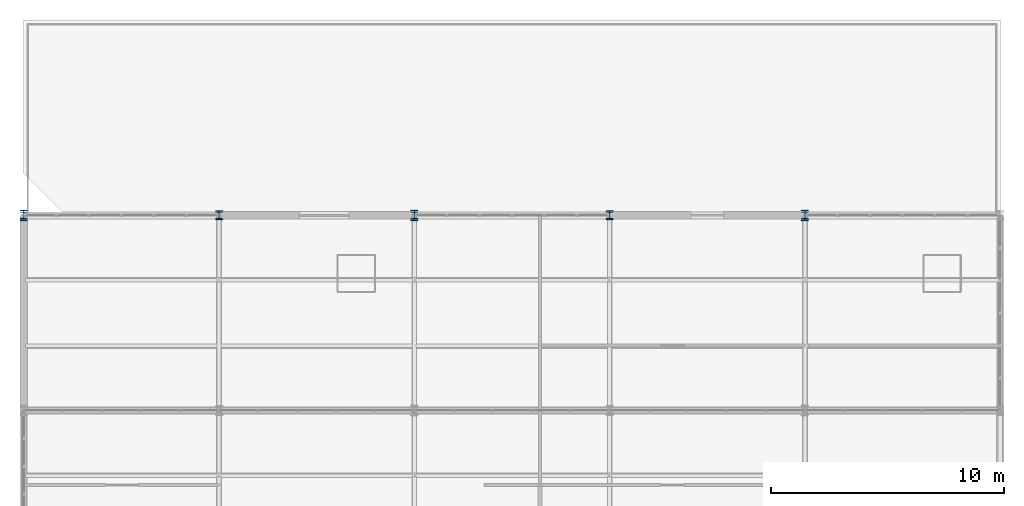
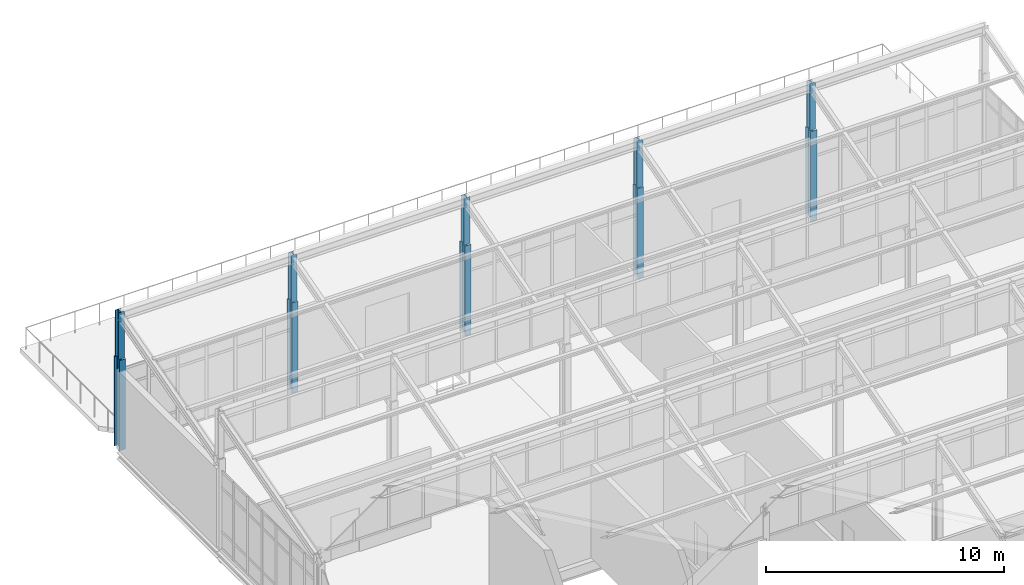
# One storey, part 3 of 53: 10 columns.
"""IFC4 building model written with IfcOpenShell, lengths in metres."""

from ifc_helpers import new_model, si_unit, direction, frame, origin, origin_2d, place, context, subcontext, project, spatial, i_section, extrude, material, material_profile, profile_set, type_object, element, save


model = new_model("IFC4")

# Units and contexts
model_context = context("Model", 3, precision=1e-05, world=origin(), true_north=direction((0.0, 1.0)))
body_context = subcontext(model_context, "Body", "Model", "MODEL_VIEW")
ifc_project = project(units=[si_unit("LENGTHUNIT", "METRE"), si_unit("AREAUNIT", "SQUARE_METRE"), si_unit("VOLUMEUNIT", "CUBIC_METRE"), si_unit("PLANEANGLEUNIT", "RADIAN"), si_unit("MASSUNIT", "GRAM", prefix="KILO")], contexts=[model_context])

# Site, building, storey
site_placement = place(None, origin())
site = spatial("IfcSite", under=ifc_project, at=site_placement, CompositionType="ELEMENT")
building_placement = place(site_placement, origin())
building = spatial("IfcBuilding", under=site, at=building_placement, Name="Qalvenar Corner Mobility Hub", CompositionType="ELEMENT")
storey_placement = place(building_placement, frame((0.0, 0.0, 26.39990234375)))
storey = spatial("IfcBuildingStorey", under=building, at=storey_placement, Name="L06", CompositionType="ELEMENT", Elevation=26.39990234375)

# Columns
ifc_material = material(Name="Steel S355", Category="steel")
ifc_material_profile_1 = material_profile(ifc_material, i_section(OverallWidth=0.280029296875, OverallDepth=0.280029296875, WebThickness=0.010498046875, FlangeThickness=0.01806640625, FilletRadius=0.02392578125, at=origin_2d()), Name="HEB280")
ifc_profile_set_1 = profile_set([ifc_material_profile_1], Name="Steel S355")
column_type_1 = type_object("IfcColumnType", Name="COL-HEB280", PredefinedType="COLUMN", material=ifc_profile_set_1)
for number, where, z_axis, x_axis, name in (
    (1, (0.0, 33.60009765625, 4.630126953125), (0.0, 0.0, 1.0), (1.0, 0.0, 0.0), "Sawtooth Roof Post V3R-4-1"),
    (2, (8.39990234375, 33.60009765625, 4.630126953125), (0.0, 0.0, 1.0), (1.0, 0.0, 0.0), "Sawtooth Roof Post V3R-4-2"),
    (3, (16.800048828125, 33.60009765625, 4.630126953125), (0.0, 0.0, 1.0), (1.0, 0.0, 0.0), "Sawtooth Roof Post V3R-4-3"),
    (4, (25.199951171875, 33.60009765625, 4.630126953125), (0.0, 0.0, 1.0), (1.0, 0.0, 0.0), "Sawtooth Roof Post V3R-4-4"),
    (5, (33.60009765625, 33.60009765625, 4.630126953125), (0.0, 0.0, 1.0), (1.0, 0.0, 0.0), "Sawtooth Roof Post V3R-4-5"),
):
    element("IfcColumn", number, at=place(storey_placement, frame(where, z_axis=z_axis, x_axis=x_axis)), inside=storey, type_object=column_type_1, Name=name, PredefinedType="COLUMN", context=body_context, shape_type="SweptSolid", body=[
        extrude(i_section(OverallWidth=0.280029296875, OverallDepth=0.280029296875, WebThickness=0.010498046875, FlangeThickness=0.01806640625, FilletRadius=0.02392578125, at=origin_2d()), origin(), (0.0, 0.0, 1.0), 2.39990234375),
    ])
ifc_material_profile_2 = material_profile(ifc_material, i_section(OverallWidth=0.300048828125, OverallDepth=0.39990234375, WebThickness=0.013427734375, FlangeThickness=0.02392578125, FilletRadius=0.027099609375, at=origin_2d()), Name="HEB400")
ifc_profile_set_2 = profile_set([ifc_material_profile_2], Name="Steel S355")
column_type_2 = type_object("IfcColumnType", Name="COL-HEB400", PredefinedType="COLUMN", material=ifc_profile_set_2)
for number, where, z_axis, x_axis, name in (
    (6, (8.39990234375, 33.60009765625, 0.0), (0.0, 0.0, 1.0), (1.0, 0.0, 0.0), "Steel Column L06-G2-4"),
    (7, (25.199951171875, 33.60009765625, 0.0), (0.0, 0.0, 1.0), (1.0, 0.0, 0.0), "Steel Column L06-G4-4"),
):
    element("IfcColumn", number, at=place(storey_placement, frame(where, z_axis=z_axis, x_axis=x_axis)), inside=storey, type_object=column_type_2, Name=name, PredefinedType="COLUMN", context=body_context, shape_type="SweptSolid", body=[
        extrude(i_section(OverallWidth=0.300048828125, OverallDepth=0.39990234375, WebThickness=0.013427734375, FlangeThickness=0.02392578125, FilletRadius=0.027099609375, at=origin_2d()), origin(), (0.0, 0.0, 1.0), 4.630126953125),
    ])
ifc_material_profile_3 = material_profile(ifc_material, i_section(OverallWidth=0.300048828125, OverallDepth=0.449951171875, WebThickness=0.013916015625, FlangeThickness=0.02587890625, FilletRadius=0.027099609375, at=origin_2d()), Name="HEB450")
ifc_profile_set_3 = profile_set([ifc_material_profile_3], Name="Steel S355")
column_type_3 = type_object("IfcColumnType", Name="COL-HEB450", PredefinedType="COLUMN", material=ifc_profile_set_3)
for number, where, z_axis, x_axis, name in (
    (8, (0.0, 33.60009765625, 0.0), (0.0, 0.0, 1.0), (1.0, 0.0, 0.0), "Steel Column L06-G1-4"),
    (9, (16.800048828125, 33.60009765625, 0.0), (0.0, 0.0, 1.0), (1.0, 0.0, 0.0), "Steel Column L06-G3-4"),
    (10, (33.60009765625, 33.60009765625, 0.0), (0.0, 0.0, 1.0), (1.0, 0.0, 0.0), "Steel Column L06-G5-4"),
):
    element("IfcColumn", number, at=place(storey_placement, frame(where, z_axis=z_axis, x_axis=x_axis)), inside=storey, type_object=column_type_3, Name=name, PredefinedType="COLUMN", context=body_context, shape_type="SweptSolid", body=[
        extrude(i_section(OverallWidth=0.300048828125, OverallDepth=0.449951171875, WebThickness=0.013916015625, FlangeThickness=0.02587890625, FilletRadius=0.027099609375, at=origin_2d()), origin(), (0.0, 0.0, 1.0), 4.630126953125),
    ])

save(model, "model.ifc")
